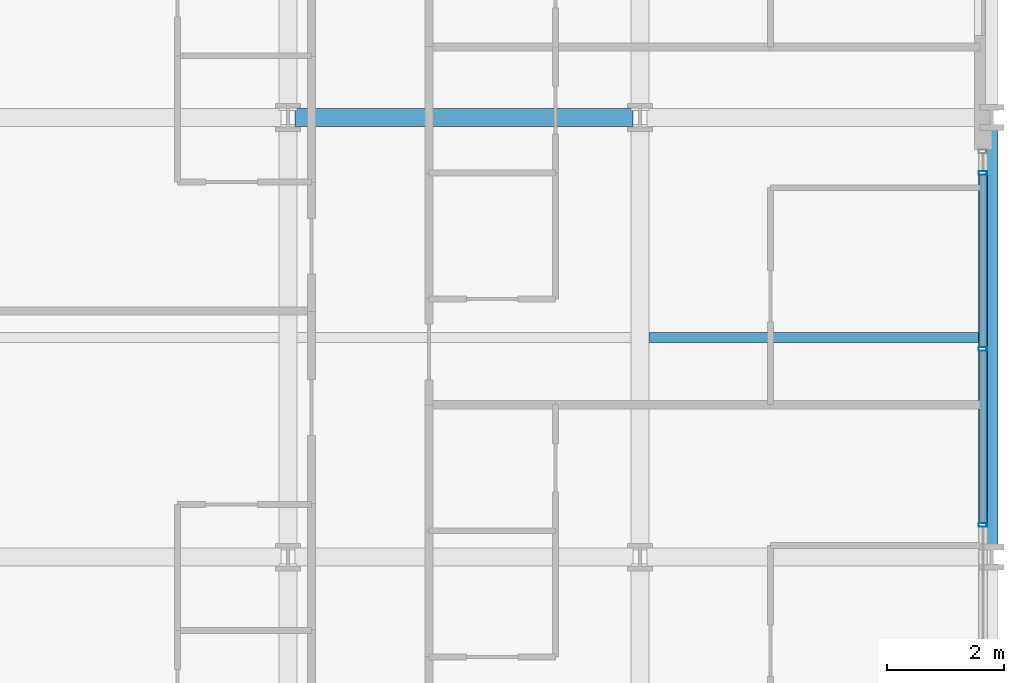
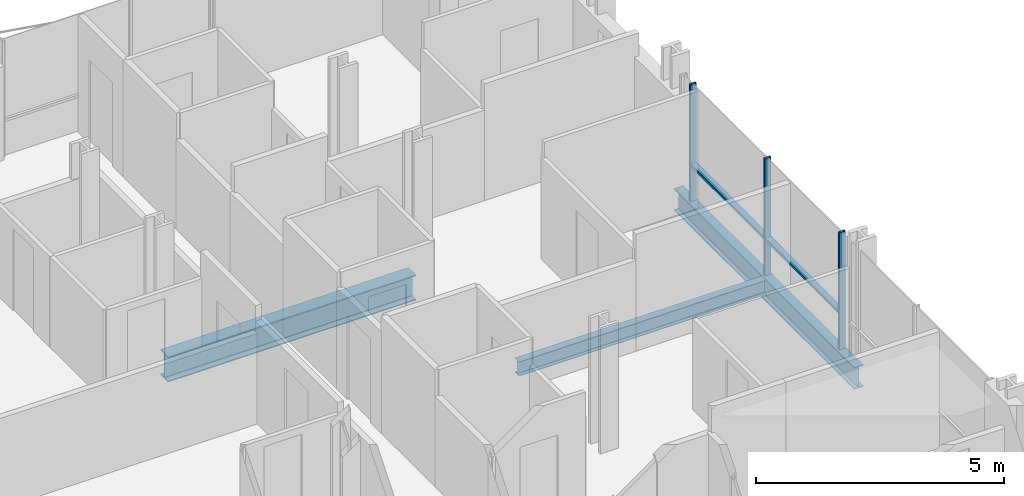
# One storey, part 19 of 40: 5 members, 3 beams, 1 element without a shape of its own.
"""IFC4 building model written with IfcOpenShell, lengths in metres."""

import ifcopenshell
import ifcopenshell.guid

model = None  # the IFC model being written
_history = None  # IfcOwnerHistory: only IFC2X3 demands one
_inside = {}  # id of a spatial element -> (the spatial element, [elements in it])
_under = {}  # id of a project, library or spatial element -> (it, [spatial elements below it])
_declared = {}  # id of a project -> (the project, [libraries it declares])
_typed = {}  # id of a type object -> (the type object, [elements of that type])
_made_of = {}  # id of a material, layer set ... -> (it, [elements and type objects made of it])


def new_model(schema):
    """Start an empty IFC model of exactly this schema.

    Asked for "IFC4X3", IfcOpenShell would pick the latest addendum, in which some entities
    have other attributes; the version numbers below select the first issue.
    IFC2X3 requires an IfcOwnerHistory on every rooted entity: one is made here for all.
    """
    global model, _history
    if schema == "IFC4X3":
        model = ifcopenshell.file(schema_version=(4, 3, 0, 0))
    else:
        model = ifcopenshell.file(schema=schema)
    _inside.clear()
    _under.clear()
    _declared.clear()
    _typed.clear()
    _made_of.clear()
    _history = None
    if model.schema == "IFC2X3":
        org = make("IfcOrganization", Name="unknown")
        user = make(
            "IfcPersonAndOrganization",
            ThePerson=make("IfcPerson", FamilyName="unknown"),
            TheOrganization=org,
        )
        app = make(
            "IfcApplication",
            ApplicationDeveloper=org,
            Version="unknown",
            ApplicationFullName="unknown",
            ApplicationIdentifier="unknown",
        )
        _history = make(
            "IfcOwnerHistory",
            OwningUser=user,
            OwningApplication=app,
            ChangeAction="ADDED",
            CreationDate=0,
        )
    return model


def make(cls, **values):
    """One entity of the class cls with the attributes given. An attribute that is None is left unset."""
    return model.create_entity(
        cls, **{name: value for name, value in values.items() if value is not None}
    )


def rooted(cls, **values):
    """An entity with a GlobalId (a new one), such as an element, a storey or a relation."""
    return make(cls, GlobalId=ifcopenshell.guid.new(), OwnerHistory=_history, **values)


def si_unit(unit_type, name, prefix=None):
    """IfcSIUnit, for example si_unit("LENGTHUNIT", "METRE", prefix="MILLI")."""
    return make("IfcSIUnit", UnitType=unit_type, Prefix=prefix, Name=name)


def assignment(units):
    """IfcUnitAssignment: the units of a project."""
    return None if units is None else make("IfcUnitAssignment", Units=units)


def point(xyz):
    """IfcCartesianPoint."""
    return None if xyz is None else make("IfcCartesianPoint", Coordinates=xyz)


def direction(xyz):
    """IfcDirection."""
    return None if xyz is None else make("IfcDirection", DirectionRatios=xyz)


def frame(location, z_axis=None, x_axis=None):
    """IfcAxis2Placement3D, a coordinate frame: its origin and axes. An axis left out is left unset."""
    return make(
        "IfcAxis2Placement3D",
        Location=point(location),
        Axis=direction(z_axis),
        RefDirection=direction(x_axis),
    )


def frame_2d(location, x_axis=None):
    """IfcAxis2Placement2D, a coordinate frame in the plane: its origin and x axis."""
    return make(
        "IfcAxis2Placement2D", Location=point(location), RefDirection=direction(x_axis)
    )


def origin():
    """The frame at (0, 0, 0) with its axes left unset."""
    return frame((0.0, 0.0, 0.0))


def origin_2d():
    """The frame at (0, 0) in the plane with its x axis left unset."""
    return frame_2d((0.0, 0.0))


def place(relative_to, where):
    """IfcLocalPlacement: puts the frame where relative to a parent placement (None: the world)."""
    return make(
        "IfcLocalPlacement", PlacementRelTo=relative_to, RelativePlacement=where
    )


def context(
    kind, dimensions, precision=None, world=None, true_north=None, identifier=None
):
    """IfcGeometricRepresentationContext, for example the 3D "Model" context."""
    return make(
        "IfcGeometricRepresentationContext",
        ContextIdentifier=identifier,
        ContextType=kind,
        CoordinateSpaceDimension=dimensions,
        Precision=precision,
        WorldCoordinateSystem=world,
        TrueNorth=true_north,
    )


def subcontext(parent, identifier, kind, view, scale=None):
    """IfcGeometricRepresentationSubContext, for example "Body" below "Model"."""
    return make(
        "IfcGeometricRepresentationSubContext",
        ContextIdentifier=identifier,
        ContextType=kind,
        ParentContext=parent,
        TargetScale=scale,
        TargetView=view,
    )


def project(units=None, contexts=None):
    """IfcProject with its units and contexts."""
    return rooted(
        "IfcProject",
        Name="project",
        RepresentationContexts=contexts,
        UnitsInContext=assignment(units),
    )


def spatial(cls, under=None, at=None, **own):
    """A site, building, storey or space (cls), placed at a placement, below another one or the project."""
    s = rooted(cls, ObjectPlacement=at, **own)
    if under is not None:
        _under.setdefault(under.id(), (under, []))[1].append(s)
    return s


def profile(cls, at=None, kind="AREA", **sizes):
    """A parametric profile (cls). Its sizes go by their IFC names, for example OverallWidth=200.0."""
    return make(cls, ProfileType=kind, Position=at, **sizes)


def hollow_rectangle(**sizes):
    """IfcRectangleHollowProfileDef."""
    return profile("IfcRectangleHollowProfileDef", **sizes)


def i_section(**sizes):
    """IfcIShapeProfileDef."""
    return profile("IfcIShapeProfileDef", **sizes)


def extrude(swept, where, along, depth):
    """IfcExtrudedAreaSolid: the profile swept, set in the frame where, extruded along a direction by depth."""
    return make(
        "IfcExtrudedAreaSolid",
        SweptArea=swept,
        Position=where,
        ExtrudedDirection=direction(along),
        Depth=depth,
    )


def shape(context_of_items, identifier, shape_type, items):
    """IfcShapeRepresentation: the items that make up one representation, for example the "Body"."""
    return make(
        "IfcShapeRepresentation",
        ContextOfItems=context_of_items,
        RepresentationIdentifier=identifier,
        RepresentationType=shape_type,
        Items=items,
    )


def material(Name=None, Category=None):
    """IfcMaterial."""
    return make("IfcMaterial", Name=Name, Category=Category)


def layer(
    of_material, thickness, ventilated=None, Name=None, Category=None, Priority=None
):
    """IfcMaterialLayer: one layer of a wall or slab, of a material (None: an air gap)."""
    return make(
        "IfcMaterialLayer",
        Material=of_material,
        LayerThickness=thickness,
        IsVentilated=ventilated,
        Name=Name,
        Category=Category,
        Priority=Priority,
    )


def layer_set(layers, Name=None):
    """IfcMaterialLayerSet."""
    return make("IfcMaterialLayerSet", MaterialLayers=layers, LayerSetName=Name)


def material_profile(
    of_material, cross_section, Name=None, Category=None, Priority=None
):
    """IfcMaterialProfile: a cross section and its material."""
    return make(
        "IfcMaterialProfile",
        Name=Name,
        Material=of_material,
        Profile=cross_section,
        Priority=Priority,
        Category=Category,
    )


def profile_set(profiles, Name=None, composite=None):
    """IfcMaterialProfileSet."""
    return make(
        "IfcMaterialProfileSet",
        Name=Name,
        MaterialProfiles=profiles,
        CompositeProfile=composite,
    )


def made_of(thing, what):
    """Note that an element or type object is made of a material, layer set ...; save() writes the relation."""
    if what is not None:
        _made_of.setdefault(what.id(), (what, []))[1].append(thing)
    return thing


def type_object(cls, material=None, **own):
    """A type object (cls), such as IfcWallType, which elements share."""
    return made_of(rooted(cls, **own), material)


def element(
    cls,
    number,
    at=None,
    inside=None,
    cuts=None,
    type_object=None,
    material=None,
    context=None,
    identifier="Body",
    shape_type=None,
    held_by="IfcProductDefinitionShape",
    body=None,
    shapes=None,
    **own,
):
    """One element of the class cls, such as IfcWall. Its Tag is "e" and its number.

    at: its placement. inside: the storey or other place that contains it. cuts: it is an
    opening in that element (IfcRelVoidsElement). A single representation is given by context,
    identifier, shape_type and body (its items); several are given by shapes. held_by: the class
    of the entity that holds the representations. save() writes the other relations.
    """
    e = rooted(cls, Tag="e%d" % number, ObjectPlacement=at, **own)
    if body is not None:
        shapes = [shape(context, identifier, shape_type, body)]
    if shapes is not None:
        e.Representation = make(held_by, Representations=shapes)
    if inside is not None:
        _inside.setdefault(inside.id(), (inside, []))[1].append(e)
    if cuts is not None:
        rooted(
            "IfcRelVoidsElement", RelatingBuildingElement=cuts, RelatedOpeningElement=e
        )
    if type_object is not None:
        _typed.setdefault(type_object.id(), (type_object, []))[1].append(e)
    return made_of(e, material)


def aggregate(whole, parts):
    """IfcRelAggregates: a whole, such as a stair, and the parts it consists of."""
    return rooted("IfcRelAggregates", RelatingObject=whole, RelatedObjects=parts)


def save(model, path):
    """Write the relations noted so far, then the file.

    IfcRelAggregates (storeys below a building ...), IfcRelContainedInSpatialStructure (elements
    in a storey), IfcRelDefinesByType, IfcRelAssociatesMaterial and IfcRelDeclares: one each for
    every whole, place, type object, material and project.
    """
    for whole, parts in _under.values():
        aggregate(whole, parts)
    for where, things in _inside.values():
        rooted(
            "IfcRelContainedInSpatialStructure",
            RelatedElements=things,
            RelatingStructure=where,
        )
    for kind, things in _typed.values():
        rooted("IfcRelDefinesByType", RelatedObjects=things, RelatingType=kind)
    for what, things in _made_of.values():
        rooted("IfcRelAssociatesMaterial", RelatedObjects=things, RelatingMaterial=what)
    for by, libraries in _declared.values():
        rooted("IfcRelDeclares", RelatingContext=by, RelatedDefinitions=libraries)
    model.write(path)


model = new_model("IFC4")

# Units and contexts
model_context = context("Model", 3, precision=1e-05, world=origin(), true_north=direction((0.0, 1.0)))
body_context = subcontext(model_context, "Body", "Model", "MODEL_VIEW")
ifc_project = project(units=[si_unit("LENGTHUNIT", "METRE"), si_unit("AREAUNIT", "SQUARE_METRE"), si_unit("VOLUMEUNIT", "CUBIC_METRE"), si_unit("PLANEANGLEUNIT", "RADIAN"), si_unit("MASSUNIT", "GRAM", prefix="KILO")], contexts=[model_context])

# Site, building, storey
site_placement = place(None, origin())
site = spatial("IfcSite", under=ifc_project, at=site_placement, CompositionType="ELEMENT")
building_placement = place(site_placement, origin())
building = spatial("IfcBuilding", under=site, at=building_placement, Name="Brevholm Reach", CompositionType="ELEMENT")
storey_placement = place(building_placement, frame((0.0, 0.0, 37.300048828125)))
storey = spatial("IfcBuildingStorey", under=building, at=storey_placement, Name="L09", CompositionType="ELEMENT", Elevation=37.300048828125)

# Beams
ifc_material_1 = material(Name="Structural Steel S355J2", Category="steel")
ifc_material_profile_1 = material_profile(ifc_material_1, i_section(OverallWidth=0.17138671875, OverallDepth=0.35498046875, WebThickness=0.00732421875, FlangeThickness=0.011474609375, FilletRadius=0.01025390625, at=origin_2d()), Name="UKB 356x171x51")
ifc_profile_set_1 = profile_set([ifc_material_profile_1], Name="Structural Steel S355J2")
beam_type_1 = type_object("IfcBeamType", Name="BM-B356", PredefinedType="BEAM", material=ifc_profile_set_1)
beam_1_placement = place(storey_placement, frame((54.153564453125, 19.75, -0.407470703125), z_axis=(1.0, 0.0, 0.0), x_axis=(0.0, 1.0, 0.0)))
element("IfcBeam", 1, at=beam_1_placement, inside=storey, type_object=beam_type_1, Name="L09 Composite Secondary Floor Beam", PredefinedType="BEAM", context=body_context, shape_type="SweptSolid", body=[
    extrude(i_section(OverallWidth=0.17138671875, OverallDepth=0.35498046875, WebThickness=0.00732421875, FlangeThickness=0.011474609375, FilletRadius=0.01025390625, at=origin_2d()), origin(), (0.0, 0.0, 1.0), 5.740966796875),
])
ifc_material_2 = material(Name="Structural Steel S355J2", Category="steel")
ifc_material_profile_2 = material_profile(ifc_material_2, i_section(OverallWidth=0.210693359375, OverallDepth=0.53955078125, WebThickness=0.01171875, FlangeThickness=0.018798828125, FilletRadius=0.0126953125, at=origin_2d()), Name="UKB 533x210x109")
ifc_profile_set_2 = profile_set([ifc_material_profile_2], Name="Structural Steel S355J2")
beam_type_2 = type_object("IfcBeamType", Name="BM-SP539", PredefinedType="SPANDREL", material=ifc_profile_set_2)
beam_2_placement = place(storey_placement, frame((60.0, 16.1201171875, -0.499755859375), z_axis=(0.0, 1.0, 0.0), x_axis=(-1.0, 0.0, 0.0)))
element("IfcBeam", 2, at=beam_2_placement, inside=storey, type_object=beam_type_2, Name="L09 SP-01B Framing Beam", PredefinedType="SPANDREL", context=body_context, shape_type="SweptSolid", body=[
    extrude(i_section(OverallWidth=0.210693359375, OverallDepth=0.53955078125, WebThickness=0.01171875, FlangeThickness=0.018798828125, FilletRadius=0.0126953125, at=origin_2d()), origin(), (0.0, 0.0, 1.0), 7.259765625),
])
ifc_material_3 = material(Name="Structural Steel S355J2", Category="steel")
ifc_material_profile_3 = material_profile(ifc_material_3, i_section(OverallWidth=0.30712890625, OverallDepth=0.6201171875, WebThickness=0.01416015625, FlangeThickness=0.023681640625, FilletRadius=0.0166015625, at=origin_2d()), Name="UKB 610x305x179")
ifc_profile_set_3 = profile_set([ifc_material_profile_3], Name="Structural Steel S355J2")
beam_type_3 = type_object("IfcBeamType", Name="BM-UKB610H", PredefinedType="USERDEFINED", material=ifc_profile_set_3)
beam_3_placement = place(storey_placement, frame((48.1201171875, 23.5, -0.5400390625), z_axis=(1.0, 0.0, 0.0), x_axis=(0.0, 1.0, 0.0)))
element("IfcBeam", 3, at=beam_3_placement, inside=storey, type_object=beam_type_3, Name="L09 G-06 Framing Beam", ObjectType="GIRDER", PredefinedType="USERDEFINED", context=body_context, shape_type="SweptSolid", body=[
    extrude(i_section(OverallWidth=0.30712890625, OverallDepth=0.6201171875, WebThickness=0.01416015625, FlangeThickness=0.023681640625, FilletRadius=0.0166015625, at=origin_2d()), origin(), (0.0, 0.0, 1.0), 5.759765625),
])

# Curtain wall, members
ifc_material_4 = material(Name="Dark Anodised Aluminium 6063-T6 and Solar-Control Glass", Category="aluminium")
ifc_layer = layer(ifc_material_4, 0.14990234375)
ifc_layer_set = layer_set([ifc_layer], Name="Dark Anodised Aluminium 6063-T6 and Solar-Control Glass")
curtain_wall_type = type_object("IfcCurtainWallType", Name="CW-01", PredefinedType="NOTDEFINED", material=ifc_layer_set)
curtain_wall_placement = place(storey_placement, origin())
curtain_wall = element("IfcCurtainWall", 4, at=curtain_wall_placement, inside=storey, type_object=curtain_wall_type, Name="L09 Curtain Wall CW-01", PredefinedType="NOTDEFINED")
ifc_material_5 = material(Name="Dark Anodised Aluminium 6063-T6", Category="aluminium")
ifc_material_profile_4 = material_profile(ifc_material_5, hollow_rectangle(XDim=0.06494140625, YDim=0.14990234375, WallThickness=0.0048828125, InnerFilletRadius=0.0048828125, OuterFilletRadius=0.010009765625, at=origin_2d()), Name="RHS 150x65x5")
ifc_profile_set_4 = profile_set([ifc_material_profile_4], Name="Dark Anodised Aluminium 6063-T6")
member_type_1 = type_object("IfcMemberType", Name="CWM-150", PredefinedType="MULLION", material=ifc_profile_set_4)
member_1_placement = place(storey_placement, frame((59.85009765625, 16.550048828125, 0.0), z_axis=(0.0, 0.0, 1.0), x_axis=(0.0, 1.0, 0.0)))
member_1 = element("IfcMember", 5, at=member_1_placement, type_object=member_type_1, Name="CM-150 Mullion 3", PredefinedType="MULLION", context=body_context, shape_type="SweptSolid", body=[
    extrude(hollow_rectangle(XDim=0.06494140625, YDim=0.14990234375, WallThickness=0.0048828125, InnerFilletRadius=0.0048828125, OuterFilletRadius=0.010009765625, at=origin_2d()), origin(), (0.0, 0.0, 1.0), 2.869873046875),
])
member_2_placement = place(storey_placement, frame((59.85009765625, 19.550048828125, 0.0), z_axis=(0.0, 0.0, 1.0), x_axis=(0.0, 1.0, 0.0)))
member_2 = element("IfcMember", 6, at=member_2_placement, type_object=member_type_1, Name="CM-150 Mullion 4", PredefinedType="MULLION", context=body_context, shape_type="SweptSolid", body=[
    extrude(hollow_rectangle(XDim=0.06494140625, YDim=0.14990234375, WallThickness=0.0048828125, InnerFilletRadius=0.0048828125, OuterFilletRadius=0.010009765625, at=origin_2d()), origin(), (0.0, 0.0, 1.0), 2.869873046875),
])
member_3_placement = place(storey_placement, frame((59.85009765625, 22.550048828125, 0.0), z_axis=(0.0, 0.0, 1.0), x_axis=(0.0, 1.0, 0.0)))
member_3 = element("IfcMember", 7, at=member_3_placement, type_object=member_type_1, Name="CM-150 Mullion 5", PredefinedType="MULLION", context=body_context, shape_type="SweptSolid", body=[
    extrude(hollow_rectangle(XDim=0.06494140625, YDim=0.14990234375, WallThickness=0.0048828125, InnerFilletRadius=0.0048828125, OuterFilletRadius=0.010009765625, at=origin_2d()), origin(), (0.0, 0.0, 1.0), 2.869873046875),
])
ifc_material_6 = material(Name="Dark Anodised Aluminium 6063-T6", Category="aluminium")
ifc_material_profile_5 = material_profile(ifc_material_6, hollow_rectangle(XDim=0.06494140625, YDim=0.14990234375, WallThickness=0.0048828125, InnerFilletRadius=0.0048828125, OuterFilletRadius=0.010009765625, at=origin_2d()), Name="RHS 150x65x5")
ifc_profile_set_5 = profile_set([ifc_material_profile_5], Name="Dark Anodised Aluminium 6063-T6")
member_type_2 = type_object("IfcMemberType", Name="CWT-150", PredefinedType="NOTDEFINED", material=ifc_profile_set_5)
member_4_placement = place(storey_placement, frame((59.85009765625, 16.58251953125, 0.89990234375), z_axis=(0.0, 1.0, 0.0), x_axis=(0.0, 0.0, 1.0)))
member_4 = element("IfcMember", 8, at=member_4_placement, type_object=member_type_2, Name="CT-150 Transom 3.1", ObjectType="TRANSOM", PredefinedType="USERDEFINED", context=body_context, shape_type="SweptSolid", body=[
    extrude(hollow_rectangle(XDim=0.06494140625, YDim=0.14990234375, WallThickness=0.0048828125, InnerFilletRadius=0.0048828125, OuterFilletRadius=0.010009765625, at=origin_2d()), origin(), (0.0, 0.0, 1.0), 2.93505859375),
])
member_5_placement = place(storey_placement, frame((59.85009765625, 19.58251953125, 0.89990234375), z_axis=(0.0, 1.0, 0.0), x_axis=(0.0, 0.0, 1.0)))
member_5 = element("IfcMember", 9, at=member_5_placement, type_object=member_type_2, Name="CT-150 Transom 4.1", ObjectType="TRANSOM", PredefinedType="USERDEFINED", context=body_context, shape_type="SweptSolid", body=[
    extrude(hollow_rectangle(XDim=0.06494140625, YDim=0.14990234375, WallThickness=0.0048828125, InnerFilletRadius=0.0048828125, OuterFilletRadius=0.010009765625, at=origin_2d()), origin(), (0.0, 0.0, 1.0), 2.93505859375),
])
aggregate(curtain_wall, [member_1, member_2, member_3, member_4, member_5])

save(model, "model.ifc")
